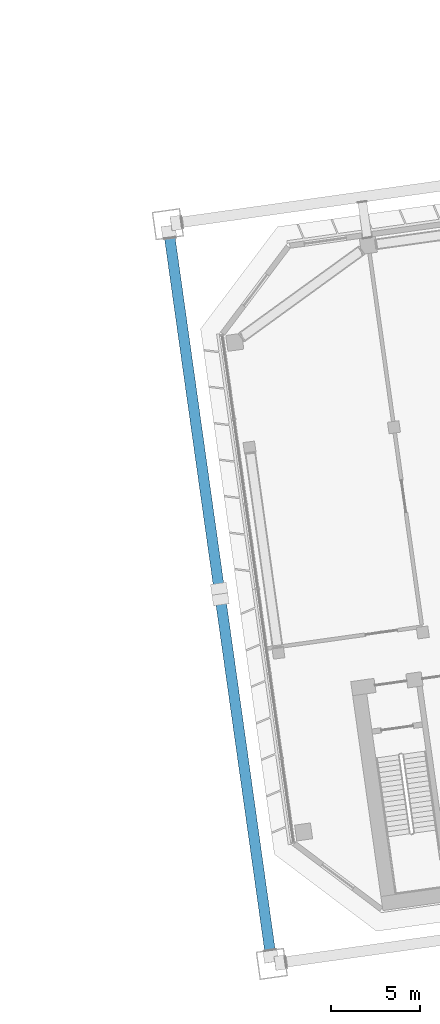
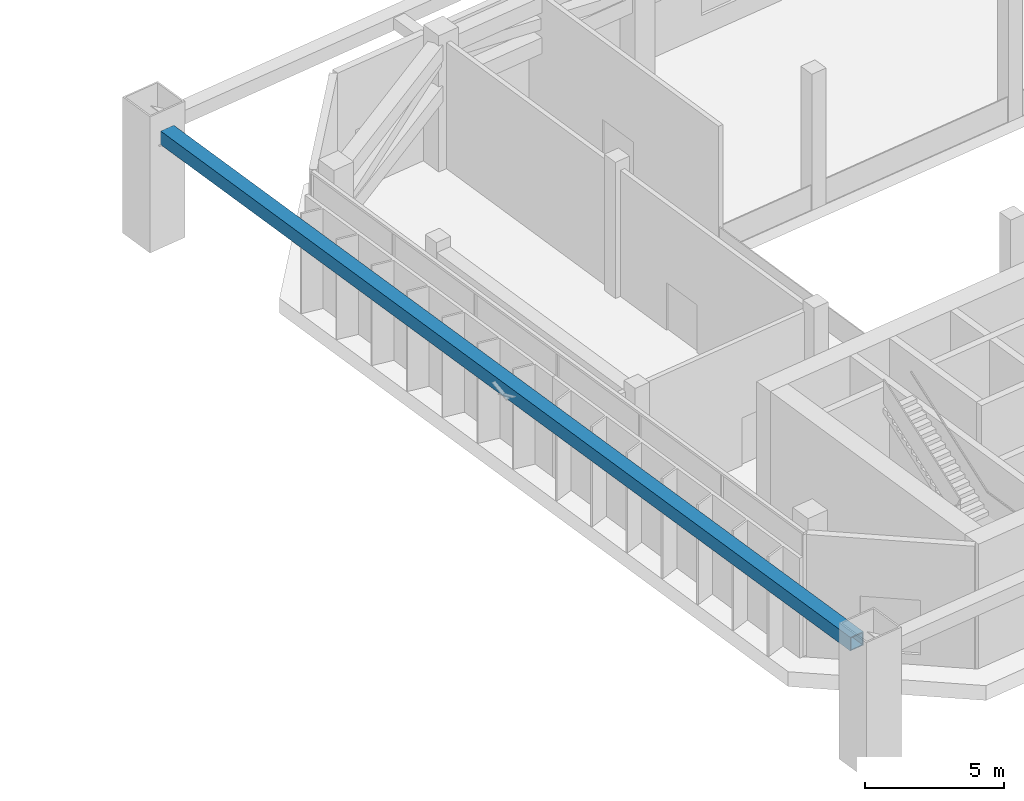
# One storey, part 11 of 41: 1 member.
"""IFC4 building model written with IfcOpenShell, lengths in metres."""

from ifc_helpers import new_model, si_unit, direction, frame, origin, origin_2d, place, context, subcontext, project, spatial, hollow_rectangle, extrude, material, material_profile, profile_set, type_object, element, save


model = new_model("IFC4")

# Units and contexts
model_context = context("Model", 3, precision=1e-05, world=origin(), true_north=direction((0.0, 1.0)))
body_context = subcontext(model_context, "Body", "Model", "MODEL_VIEW")
ifc_project = project(units=[si_unit("LENGTHUNIT", "METRE"), si_unit("AREAUNIT", "SQUARE_METRE"), si_unit("VOLUMEUNIT", "CUBIC_METRE"), si_unit("PLANEANGLEUNIT", "RADIAN"), si_unit("MASSUNIT", "GRAM", prefix="KILO")], contexts=[model_context])

# Site, building, storey
site_placement = place(None, origin())
site = spatial("IfcSite", under=ifc_project, at=site_placement, CompositionType="ELEMENT")
building_placement = place(site_placement, origin())
building = spatial("IfcBuilding", under=site, at=building_placement, Name="Mirante Cascada Hotel Towers", CompositionType="ELEMENT")
storey_placement = place(building_placement, frame((0.0, 0.0, 92.7)))
storey = spatial("IfcBuildingStorey", under=building, at=storey_placement, Name="L20", CompositionType="ELEMENT", Elevation=92.7)

# Member
ifc_material = material(Name="Steel ASTM A572 Gr 50", Category="steel")
ifc_material_profile = material_profile(ifc_material, hollow_rectangle(XDim=0.6, YDim=0.6, WallThickness=0.04, at=origin_2d()), Name="Box chord 600x600x40 ASTM A572 Gr 50")
ifc_profile_set = profile_set([ifc_material_profile], Name="Steel ASTM A572 Gr 50")
member_type = type_object("IfcMemberType", Name="Box chord 600x600x40 ASTM A572 Gr 50", PredefinedType="CHORD", material=ifc_profile_set)
member_placement = place(storey_placement, frame((30.8335, -22.3016, 4.85), z_axis=(-0.1391714, 0.9902683, 0.0), x_axis=(-0.9902683, -0.1391714, 0.0)))
element("IfcMember", 1, at=member_placement, inside=storey, type_object=member_type, Name="exochord T2 L20 3", PredefinedType="CHORD", context=body_context, shape_type="SweptSolid", body=[
    extrude(hollow_rectangle(XDim=0.6, YDim=0.6, WallThickness=0.04, at=origin_2d()), origin(), (0.0, 0.0, 1.0), 40.4401),
])

save(model, "model.ifc")
